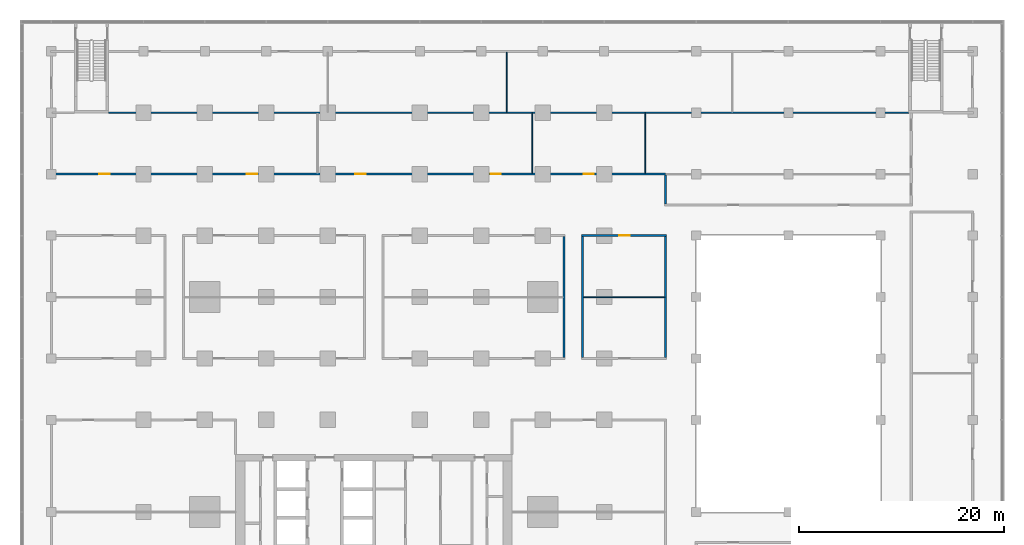
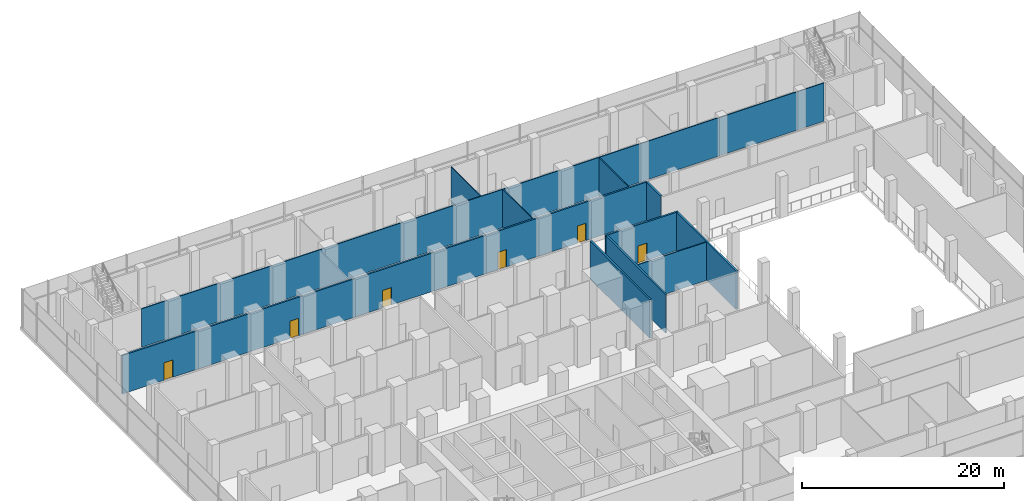
# One storey, part 16 of 22: 11 walls, 6 doors, 6 openings.
"""IFC4 building model written with IfcOpenShell, lengths in metres."""

import ifcopenshell
import ifcopenshell.guid

model = None  # the IFC model being written
_history = None  # IfcOwnerHistory: only IFC2X3 demands one
_inside = {}  # id of a spatial element -> (the spatial element, [elements in it])
_under = {}  # id of a project, library or spatial element -> (it, [spatial elements below it])
_declared = {}  # id of a project -> (the project, [libraries it declares])
_typed = {}  # id of a type object -> (the type object, [elements of that type])
_made_of = {}  # id of a material, layer set ... -> (it, [elements and type objects made of it])


def new_model(schema):
    """Start an empty IFC model of exactly this schema.

    Asked for "IFC4X3", IfcOpenShell would pick the latest addendum, in which some entities
    have other attributes; the version numbers below select the first issue.
    IFC2X3 requires an IfcOwnerHistory on every rooted entity: one is made here for all.
    """
    global model, _history
    if schema == "IFC4X3":
        model = ifcopenshell.file(schema_version=(4, 3, 0, 0))
    else:
        model = ifcopenshell.file(schema=schema)
    _inside.clear()
    _under.clear()
    _declared.clear()
    _typed.clear()
    _made_of.clear()
    _history = None
    if model.schema == "IFC2X3":
        org = make("IfcOrganization", Name="unknown")
        user = make(
            "IfcPersonAndOrganization",
            ThePerson=make("IfcPerson", FamilyName="unknown"),
            TheOrganization=org,
        )
        app = make(
            "IfcApplication",
            ApplicationDeveloper=org,
            Version="unknown",
            ApplicationFullName="unknown",
            ApplicationIdentifier="unknown",
        )
        _history = make(
            "IfcOwnerHistory",
            OwningUser=user,
            OwningApplication=app,
            ChangeAction="ADDED",
            CreationDate=0,
        )
    return model


def make(cls, **values):
    """One entity of the class cls with the attributes given. An attribute that is None is left unset."""
    return model.create_entity(
        cls, **{name: value for name, value in values.items() if value is not None}
    )


def rooted(cls, **values):
    """An entity with a GlobalId (a new one), such as an element, a storey or a relation."""
    return make(cls, GlobalId=ifcopenshell.guid.new(), OwnerHistory=_history, **values)


def si_unit(unit_type, name, prefix=None):
    """IfcSIUnit, for example si_unit("LENGTHUNIT", "METRE", prefix="MILLI")."""
    return make("IfcSIUnit", UnitType=unit_type, Prefix=prefix, Name=name)


def assignment(units):
    """IfcUnitAssignment: the units of a project."""
    return None if units is None else make("IfcUnitAssignment", Units=units)


def point(xyz):
    """IfcCartesianPoint."""
    return None if xyz is None else make("IfcCartesianPoint", Coordinates=xyz)


def direction(xyz):
    """IfcDirection."""
    return None if xyz is None else make("IfcDirection", DirectionRatios=xyz)


def frame(location, z_axis=None, x_axis=None):
    """IfcAxis2Placement3D, a coordinate frame: its origin and axes. An axis left out is left unset."""
    return make(
        "IfcAxis2Placement3D",
        Location=point(location),
        Axis=direction(z_axis),
        RefDirection=direction(x_axis),
    )


def frame_2d(location, x_axis=None):
    """IfcAxis2Placement2D, a coordinate frame in the plane: its origin and x axis."""
    return make(
        "IfcAxis2Placement2D", Location=point(location), RefDirection=direction(x_axis)
    )


def origin():
    """The frame at (0, 0, 0) with its axes left unset."""
    return frame((0.0, 0.0, 0.0))


def place(relative_to, where):
    """IfcLocalPlacement: puts the frame where relative to a parent placement (None: the world)."""
    return make(
        "IfcLocalPlacement", PlacementRelTo=relative_to, RelativePlacement=where
    )


def context(
    kind, dimensions, precision=None, world=None, true_north=None, identifier=None
):
    """IfcGeometricRepresentationContext, for example the 3D "Model" context."""
    return make(
        "IfcGeometricRepresentationContext",
        ContextIdentifier=identifier,
        ContextType=kind,
        CoordinateSpaceDimension=dimensions,
        Precision=precision,
        WorldCoordinateSystem=world,
        TrueNorth=true_north,
    )


def subcontext(parent, identifier, kind, view, scale=None):
    """IfcGeometricRepresentationSubContext, for example "Body" below "Model"."""
    return make(
        "IfcGeometricRepresentationSubContext",
        ContextIdentifier=identifier,
        ContextType=kind,
        ParentContext=parent,
        TargetScale=scale,
        TargetView=view,
    )


def project(units=None, contexts=None):
    """IfcProject with its units and contexts."""
    return rooted(
        "IfcProject",
        Name="project",
        RepresentationContexts=contexts,
        UnitsInContext=assignment(units),
    )


def spatial(cls, under=None, at=None, **own):
    """A site, building, storey or space (cls), placed at a placement, below another one or the project."""
    s = rooted(cls, ObjectPlacement=at, **own)
    if under is not None:
        _under.setdefault(under.id(), (under, []))[1].append(s)
    return s


def profile(cls, at=None, kind="AREA", **sizes):
    """A parametric profile (cls). Its sizes go by their IFC names, for example OverallWidth=200.0."""
    return make(cls, ProfileType=kind, Position=at, **sizes)


def rectangle(**sizes):
    """IfcRectangleProfileDef."""
    return profile("IfcRectangleProfileDef", **sizes)


def extrude(swept, where, along, depth):
    """IfcExtrudedAreaSolid: the profile swept, set in the frame where, extruded along a direction by depth."""
    return make(
        "IfcExtrudedAreaSolid",
        SweptArea=swept,
        Position=where,
        ExtrudedDirection=direction(along),
        Depth=depth,
    )


def shape(context_of_items, identifier, shape_type, items):
    """IfcShapeRepresentation: the items that make up one representation, for example the "Body"."""
    return make(
        "IfcShapeRepresentation",
        ContextOfItems=context_of_items,
        RepresentationIdentifier=identifier,
        RepresentationType=shape_type,
        Items=items,
    )


def material(Name=None, Category=None):
    """IfcMaterial."""
    return make("IfcMaterial", Name=Name, Category=Category)


def layer(
    of_material, thickness, ventilated=None, Name=None, Category=None, Priority=None
):
    """IfcMaterialLayer: one layer of a wall or slab, of a material (None: an air gap)."""
    return make(
        "IfcMaterialLayer",
        Material=of_material,
        LayerThickness=thickness,
        IsVentilated=ventilated,
        Name=Name,
        Category=Category,
        Priority=Priority,
    )


def layer_set(layers, Name=None):
    """IfcMaterialLayerSet."""
    return make("IfcMaterialLayerSet", MaterialLayers=layers, LayerSetName=Name)


def made_of(thing, what):
    """Note that an element or type object is made of a material, layer set ...; save() writes the relation."""
    if what is not None:
        _made_of.setdefault(what.id(), (what, []))[1].append(thing)
    return thing


def type_object(cls, material=None, **own):
    """A type object (cls), such as IfcWallType, which elements share."""
    return made_of(rooted(cls, **own), material)


def element(
    cls,
    number,
    at=None,
    inside=None,
    cuts=None,
    type_object=None,
    material=None,
    context=None,
    identifier="Body",
    shape_type=None,
    held_by="IfcProductDefinitionShape",
    body=None,
    shapes=None,
    **own,
):
    """One element of the class cls, such as IfcWall. Its Tag is "e" and its number.

    at: its placement. inside: the storey or other place that contains it. cuts: it is an
    opening in that element (IfcRelVoidsElement). A single representation is given by context,
    identifier, shape_type and body (its items); several are given by shapes. held_by: the class
    of the entity that holds the representations. save() writes the other relations.
    """
    e = rooted(cls, Tag="e%d" % number, ObjectPlacement=at, **own)
    if body is not None:
        shapes = [shape(context, identifier, shape_type, body)]
    if shapes is not None:
        e.Representation = make(held_by, Representations=shapes)
    if inside is not None:
        _inside.setdefault(inside.id(), (inside, []))[1].append(e)
    if cuts is not None:
        rooted(
            "IfcRelVoidsElement", RelatingBuildingElement=cuts, RelatedOpeningElement=e
        )
    if type_object is not None:
        _typed.setdefault(type_object.id(), (type_object, []))[1].append(e)
    return made_of(e, material)


def fill(opening, filler):
    """IfcRelFillsElement: the door or window that sits in an opening."""
    return rooted(
        "IfcRelFillsElement",
        RelatingOpeningElement=opening,
        RelatedBuildingElement=filler,
    )


def aggregate(whole, parts):
    """IfcRelAggregates: a whole, such as a stair, and the parts it consists of."""
    return rooted("IfcRelAggregates", RelatingObject=whole, RelatedObjects=parts)


def save(model, path):
    """Write the relations noted so far, then the file.

    IfcRelAggregates (storeys below a building ...), IfcRelContainedInSpatialStructure (elements
    in a storey), IfcRelDefinesByType, IfcRelAssociatesMaterial and IfcRelDeclares: one each for
    every whole, place, type object, material and project.
    """
    for whole, parts in _under.values():
        aggregate(whole, parts)
    for where, things in _inside.values():
        rooted(
            "IfcRelContainedInSpatialStructure",
            RelatedElements=things,
            RelatingStructure=where,
        )
    for kind, things in _typed.values():
        rooted("IfcRelDefinesByType", RelatedObjects=things, RelatingType=kind)
    for what, things in _made_of.values():
        rooted("IfcRelAssociatesMaterial", RelatedObjects=things, RelatingMaterial=what)
    for by, libraries in _declared.values():
        rooted("IfcRelDeclares", RelatingContext=by, RelatedDefinitions=libraries)
    model.write(path)


model = new_model("IFC4")

# Units and contexts
model_context = context("Model", 3, precision=1e-05, world=origin(), true_north=direction((0.0, 1.0)))
body_context = subcontext(model_context, "Body", "Model", "MODEL_VIEW")
ifc_project = project(units=[si_unit("LENGTHUNIT", "METRE"), si_unit("AREAUNIT", "SQUARE_METRE"), si_unit("VOLUMEUNIT", "CUBIC_METRE"), si_unit("PLANEANGLEUNIT", "RADIAN"), si_unit("MASSUNIT", "GRAM", prefix="KILO")], contexts=[model_context])

# Site, building, storey
site_placement = place(None, origin())
site = spatial("IfcSite", under=ifc_project, at=site_placement, CompositionType="ELEMENT")
building_placement = place(site_placement, origin())
building = spatial("IfcBuilding", under=site, at=building_placement, Name="Finial Court Residences", CompositionType="ELEMENT")
storey_placement = place(building_placement, frame((0.0, 0.0, 13.5)))
storey = spatial("IfcBuildingStorey", under=building, at=storey_placement, Name="L02", CompositionType="ELEMENT", Elevation=13.5)

# Wall, opening, door
ifc_material_1 = material(Name="Gypsum board")
ifc_layer_1 = layer(ifc_material_1, 0.02490234375)
ifc_material_2 = material(Name="Acoustic mineral wool in double frame")
ifc_layer_2 = layer(ifc_material_2, 0.14990234375)
ifc_layer_3 = layer(ifc_material_1, 0.02490234375)
ifc_layer_set_1 = layer_set([ifc_layer_1, ifc_layer_2, ifc_layer_3], Name="Corridor wall 200, 1 hour")
wall_type_1 = type_object("IfcWallType", Name="Corridor wall 200, 1 hour", PredefinedType="PARTITIONING", material=ifc_layer_set_1)
wall_1_placement = place(storey_placement, frame((20.300048828125, 13.5, 0.0), z_axis=(0.0, 0.0, 1.0), x_axis=(1.0, 0.0, 0.0)))
wall_1 = element("IfcWall", 1, at=wall_1_placement, inside=storey, type_object=wall_type_1, Name="Partition L02-030", PredefinedType="PARTITIONING", context=body_context, shape_type="SweptSolid", body=[
    extrude(rectangle(XDim=8.300048828125, YDim=0.199951171875, at=frame_2d((4.14990234375, 0.0))), origin(), (0.0, 0.0, 1.0), 4.64990234375),
])
opening_1_placement = place(wall_1_placement, frame((3.699951171875, 0.0, 0.0)))
opening_1 = element("IfcOpeningElement", 2, at=opening_1_placement, cuts=wall_1, Name="Opening L02-D029", PredefinedType="OPENING", context=body_context, shape_type="SweptSolid", body=[
    extrude(rectangle(XDim=1.0, YDim=2.10009765625, at=frame_2d((0.5, 1.050048828125))), frame((0.0, 0.10986328125, 0.0), z_axis=(0.0, -1.0, 0.0), x_axis=(1.0, 0.0, 0.0)), (0.0, 0.0, 1.0), 0.219970703125),
])
ifc_material_3 = material(Name="Timber door leaf in hollow metal frame", Category="wood")
door_type = type_object("IfcDoorType", Name="Fire door set 1000 x 2100, 30 minutes", OperationType="SINGLE_SWING_LEFT", PredefinedType="DOOR", material=ifc_material_3)
door_1_placement = place(opening_1_placement, origin())
door_1 = element("IfcDoor", 3, at=door_1_placement, inside=storey, type_object=door_type, Name="Door L02-D029", OperationType="SINGLE_SWING_LEFT", OverallHeight=2.10009765625, OverallWidth=1.0, PredefinedType="DOOR", context=body_context, shape_type="SweptSolid", body=[
    extrude(rectangle(XDim=1.0, YDim=2.10009765625, at=frame_2d((0.5, 1.050048828125))), frame((0.0, 0.02490234375, 0.0), z_axis=(0.0, -1.0, 0.0), x_axis=(1.0, 0.0, 0.0)), (0.0, 0.0, 1.0), 0.050048828125),
])
fill(opening_1, door_1)

# Wall, openings, doors
wall_2_placement = place(storey_placement, frame((-31.60009765625, 19.5, 0.0), z_axis=(0.0, 0.0, 1.0), x_axis=(1.0, 0.0, 0.0)))
wall_2 = element("IfcWall", 4, at=wall_2_placement, inside=storey, type_object=wall_type_1, Name="Partition L02-033", PredefinedType="PARTITIONING", context=body_context, shape_type="SweptSolid", body=[
    extrude(rectangle(XDim=60.10009765625, YDim=0.199951171875, at=frame_2d((30.050048828125, 0.0))), origin(), (0.0, 0.0, 1.0), 4.64990234375),
])
opening_2_placement = place(wall_2_placement, frame((4.800048828125, 0.0, 0.0)))
opening_2 = element("IfcOpeningElement", 5, at=opening_2_placement, cuts=wall_2, Name="Opening L02-D032", PredefinedType="OPENING", context=body_context, shape_type="SweptSolid", body=[
    extrude(rectangle(XDim=1.0, YDim=2.10009765625, at=frame_2d((0.5, 1.050048828125))), frame((0.0, 0.10986328125, 0.0), z_axis=(0.0, -1.0, 0.0), x_axis=(1.0, 0.0, 0.0)), (0.0, 0.0, 1.0), 0.219970703125),
])
opening_3_placement = place(wall_2_placement, frame((19.199951171875, 0.0, 0.0)))
opening_3 = element("IfcOpeningElement", 6, at=opening_3_placement, cuts=wall_2, Name="Opening L02-D033", PredefinedType="OPENING", context=body_context, shape_type="SweptSolid", body=[
    extrude(rectangle(XDim=1.0, YDim=2.10009765625, at=frame_2d((0.5, 1.050048828125))), frame((0.0, 0.10986328125, 0.0), z_axis=(0.0, -1.0, 0.0), x_axis=(1.0, 0.0, 0.0)), (0.0, 0.0, 1.0), 0.219970703125),
])
opening_4_placement = place(wall_2_placement, frame((29.800048828125, 0.0, 0.0)))
opening_4 = element("IfcOpeningElement", 7, at=opening_4_placement, cuts=wall_2, Name="Opening L02-D034", PredefinedType="OPENING", context=body_context, shape_type="SweptSolid", body=[
    extrude(rectangle(XDim=1.0, YDim=2.10009765625, at=frame_2d((0.5, 1.050048828125))), frame((0.0, 0.10986328125, 0.0), z_axis=(0.0, -1.0, 0.0), x_axis=(1.0, 0.0, 0.0)), (0.0, 0.0, 1.0), 0.219970703125),
])
opening_5_placement = place(wall_2_placement, frame((43.0, 0.0, 0.0)))
opening_5 = element("IfcOpeningElement", 8, at=opening_5_placement, cuts=wall_2, Name="Opening L02-D035", PredefinedType="OPENING", context=body_context, shape_type="SweptSolid", body=[
    extrude(rectangle(XDim=1.0, YDim=2.10009765625, at=frame_2d((0.5, 1.050048828125))), frame((0.0, 0.10986328125, 0.0), z_axis=(0.0, -1.0, 0.0), x_axis=(1.0, 0.0, 0.0)), (0.0, 0.0, 1.0), 0.219970703125),
])
opening_6_placement = place(wall_2_placement, frame((52.10009765625, 0.0, 0.0)))
opening_6 = element("IfcOpeningElement", 9, at=opening_6_placement, cuts=wall_2, Name="Opening L02-D036", PredefinedType="OPENING", context=body_context, shape_type="SweptSolid", body=[
    extrude(rectangle(XDim=1.0, YDim=2.10009765625, at=frame_2d((0.5, 1.050048828125))), frame((0.0, 0.10986328125, 0.0), z_axis=(0.0, -1.0, 0.0), x_axis=(1.0, 0.0, 0.0)), (0.0, 0.0, 1.0), 0.219970703125),
])
door_2_placement = place(opening_2_placement, origin())
door_2 = element("IfcDoor", 10, at=door_2_placement, inside=storey, type_object=door_type, Name="Door L02-D032", OperationType="SINGLE_SWING_RIGHT", OverallHeight=2.10009765625, OverallWidth=1.0, PredefinedType="DOOR", context=body_context, shape_type="SweptSolid", body=[
    extrude(rectangle(XDim=1.0, YDim=2.10009765625, at=frame_2d((0.5, 1.050048828125))), frame((0.0, 0.02490234375, 0.0), z_axis=(0.0, -1.0, 0.0), x_axis=(1.0, 0.0, 0.0)), (0.0, 0.0, 1.0), 0.050048828125),
])
fill(opening_2, door_2)
door_3_placement = place(opening_3_placement, origin())
door_3 = element("IfcDoor", 11, at=door_3_placement, inside=storey, type_object=door_type, Name="Door L02-D033", OperationType="SINGLE_SWING_RIGHT", OverallHeight=2.10009765625, OverallWidth=1.0, PredefinedType="DOOR", context=body_context, shape_type="SweptSolid", body=[
    extrude(rectangle(XDim=1.0, YDim=2.10009765625, at=frame_2d((0.5, 1.050048828125))), frame((0.0, 0.02490234375, 0.0), z_axis=(0.0, -1.0, 0.0), x_axis=(1.0, 0.0, 0.0)), (0.0, 0.0, 1.0), 0.050048828125),
])
fill(opening_3, door_3)
door_4_placement = place(opening_4_placement, origin())
door_4 = element("IfcDoor", 12, at=door_4_placement, inside=storey, type_object=door_type, Name="Door L02-D034", OperationType="SINGLE_SWING_LEFT", OverallHeight=2.10009765625, OverallWidth=1.0, PredefinedType="DOOR", context=body_context, shape_type="SweptSolid", body=[
    extrude(rectangle(XDim=1.0, YDim=2.10009765625, at=frame_2d((0.5, 1.050048828125))), frame((0.0, 0.02490234375, 0.0), z_axis=(0.0, -1.0, 0.0), x_axis=(1.0, 0.0, 0.0)), (0.0, 0.0, 1.0), 0.050048828125),
])
fill(opening_4, door_4)
door_5_placement = place(opening_5_placement, origin())
door_5 = element("IfcDoor", 13, at=door_5_placement, inside=storey, type_object=door_type, Name="Door L02-D035", OperationType="SINGLE_SWING_LEFT", OverallHeight=2.10009765625, OverallWidth=1.0, PredefinedType="DOOR", context=body_context, shape_type="SweptSolid", body=[
    extrude(rectangle(XDim=1.0, YDim=2.10009765625, at=frame_2d((0.5, 1.050048828125))), frame((0.0, 0.02490234375, 0.0), z_axis=(0.0, -1.0, 0.0), x_axis=(1.0, 0.0, 0.0)), (0.0, 0.0, 1.0), 0.050048828125),
])
fill(opening_5, door_5)
door_6_placement = place(opening_6_placement, origin())
door_6 = element("IfcDoor", 14, at=door_6_placement, inside=storey, type_object=door_type, Name="Door L02-D036", OperationType="SINGLE_SWING_LEFT", OverallHeight=2.10009765625, OverallWidth=1.0, PredefinedType="DOOR", context=body_context, shape_type="SweptSolid", body=[
    extrude(rectangle(XDim=1.0, YDim=2.10009765625, at=frame_2d((0.5, 1.050048828125))), frame((0.0, 0.02490234375, 0.0), z_axis=(0.0, -1.0, 0.0), x_axis=(1.0, 0.0, 0.0)), (0.0, 0.0, 1.0), 0.050048828125),
])
fill(opening_6, door_6)

# Walls
for number, where, z_axis, x_axis, name in (
    (15, (18.60009765625, 1.60009765625, 0.0), (0.0, 0.0, 1.0), (0.0, 1.0, 0.0), "Partition L02-059"),
    (16, (20.39990234375, 1.60009765625, 0.0), (0.0, 0.0, 1.0), (0.0, 1.0, 0.0), "Partition L02-060"),
    (17, (28.5, 1.60009765625, 0.0), (0.0, 0.0, 1.0), (0.0, 1.0, 0.0), "Partition L02-064"),
):
    element("IfcWall", number, at=place(storey_placement, frame(where, z_axis=z_axis, x_axis=x_axis)), inside=storey, type_object=wall_type_1, Name=name, PredefinedType="PARTITIONING", context=body_context, shape_type="SweptSolid", body=[
        extrude(rectangle(XDim=11.7998046875, YDim=0.199951171875, at=frame_2d((5.89990234375, 0.0))), origin(), (0.0, 0.0, 1.0), 4.64990234375),
    ])
wall_3_placement = place(storey_placement, frame((28.5, 16.60009765625, 0.0), z_axis=(0.0, 0.0, 1.0), x_axis=(0.0, 1.0, 0.0)))
element("IfcWall", 18, at=wall_3_placement, inside=storey, type_object=wall_type_1, Name="Partition L02-065", PredefinedType="PARTITIONING", context=body_context, shape_type="SweptSolid", body=[
    extrude(rectangle(XDim=2.7998046875, YDim=0.199951171875, at=frame_2d((1.39990234375, 0.0))), origin(), (0.0, 0.0, 1.0), 4.64990234375),
])
ifc_layer_4 = layer(ifc_material_1, 0.012451171875)
ifc_material_4 = material(Name="Mineral wool in light-gauge frame")
ifc_layer_5 = layer(ifc_material_4, 0.074951171875)
ifc_layer_6 = layer(ifc_material_1, 0.012451171875)
ifc_layer_set_2 = layer_set([ifc_layer_4, ifc_layer_5, ifc_layer_6], Name="Gypsum board partition 100")
wall_type_2 = type_object("IfcWallType", Name="Gypsum board partition 100", PredefinedType="PARTITIONING", material=ifc_layer_set_2)
wall_4_placement = place(storey_placement, frame((20.5, 7.5, 0.0), z_axis=(0.0, 0.0, 1.0), x_axis=(1.0, 0.0, 0.0)))
element("IfcWall", 19, at=wall_4_placement, inside=storey, type_object=wall_type_2, Name="Partition L02-026", PredefinedType="PARTITIONING", context=body_context, shape_type="SweptSolid", body=[
    extrude(rectangle(XDim=7.89990234375, YDim=0.10009765625, at=frame_2d((3.949951171875, 0.0))), origin(), (0.0, 0.0, 1.0), 4.64990234375),
])
wall_5_placement = place(storey_placement, frame((-25.89990234375, 25.5, 0.0), z_axis=(0.0, 0.0, 1.0), x_axis=(1.0, 0.0, 0.0)))
element("IfcWall", 20, at=wall_5_placement, inside=storey, type_object=wall_type_2, Name="Partition L02-037", PredefinedType="PARTITIONING", context=body_context, shape_type="SweptSolid", body=[
    extrude(rectangle(XDim=78.14990234375, YDim=0.10009765625, at=frame_2d((39.074951171875, 0.0))), origin(), (0.0, 0.0, 1.0), 4.64990234375),
])
for number, where, z_axis, x_axis, name in (
    (21, (13.0, 25.550048828125, 0.0), (0.0, 0.0, 1.0), (0.0, 1.0, 0.0), "Partition L02-054"),
    (22, (15.5, 19.60009765625, 0.0), (0.0, 0.0, 1.0), (0.0, 1.0, 0.0), "Partition L02-057"),
    (23, (26.5, 19.60009765625, 0.0), (0.0, 0.0, 1.0), (0.0, 1.0, 0.0), "Partition L02-062"),
):
    element("IfcWall", number, at=place(storey_placement, frame(where, z_axis=z_axis, x_axis=x_axis)), inside=storey, type_object=wall_type_2, Name=name, PredefinedType="PARTITIONING", context=body_context, shape_type="SweptSolid", body=[
        extrude(rectangle(XDim=5.849853515625, YDim=0.10009765625, at=frame_2d((2.9248046875, 0.0))), origin(), (0.0, 0.0, 1.0), 4.64990234375),
    ])

save(model, "model.ifc")
